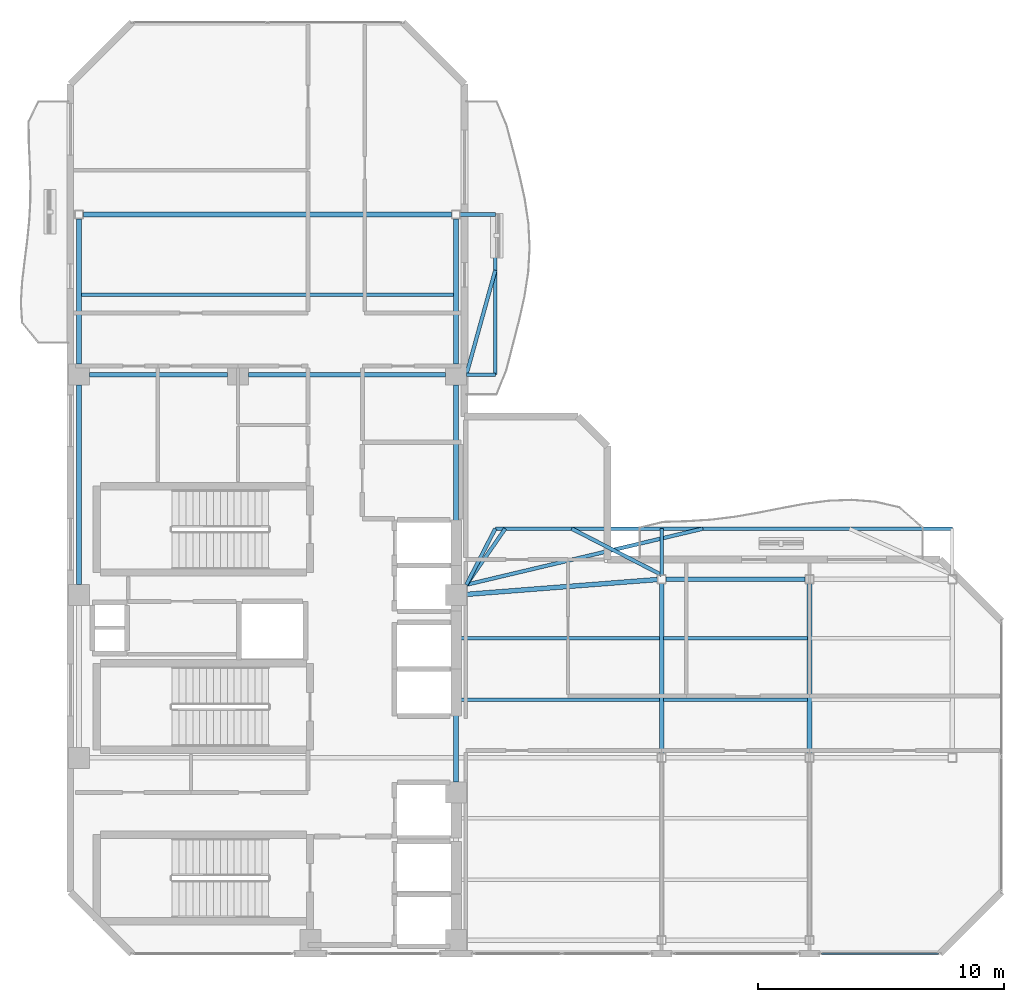
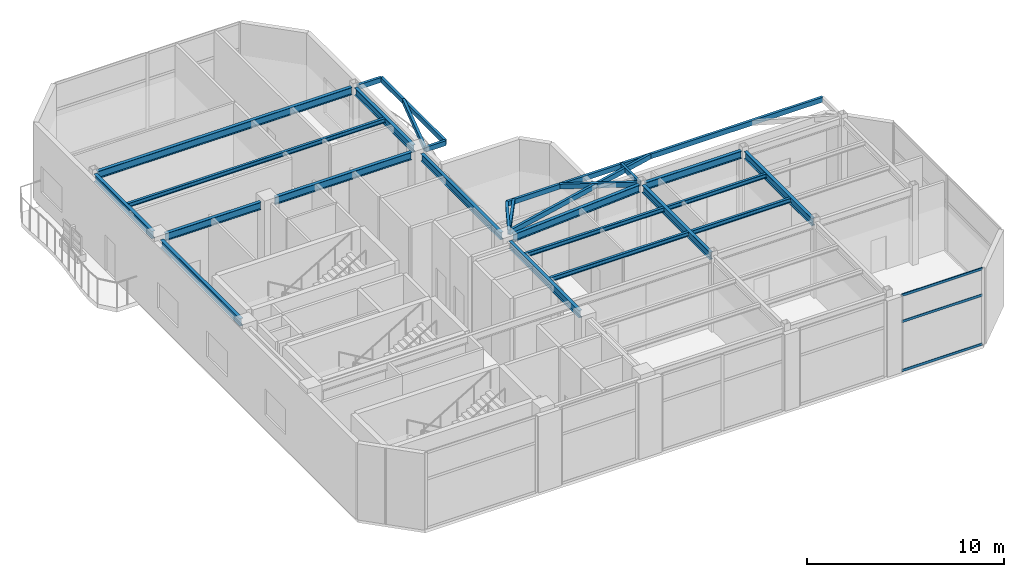
# One storey, part 6 of 15: 27 beams, 3 members, 1 element without a shape of its own.
"""IFC4 building model written with IfcOpenShell, lengths in metres."""

from ifc_helpers import new_model, si_unit, direction, frame, origin, origin_2d, place, context, subcontext, project, spatial, hollow_rectangle, i_section, extrude, material, layer, layer_set, material_profile, profile_set, type_object, element, aggregate, save


model = new_model("IFC4")

# Units and contexts
model_context = context("Model", 3, precision=1e-05, world=origin(), true_north=direction((0.0, 1.0)))
body_context = subcontext(model_context, "Body", "Model", "MODEL_VIEW")
ifc_project = project(units=[si_unit("LENGTHUNIT", "METRE"), si_unit("AREAUNIT", "SQUARE_METRE"), si_unit("VOLUMEUNIT", "CUBIC_METRE"), si_unit("PLANEANGLEUNIT", "RADIAN"), si_unit("MASSUNIT", "GRAM", prefix="KILO")], contexts=[model_context])

# Site, building, storey
site_placement = place(None, origin())
site = spatial("IfcSite", under=ifc_project, at=site_placement, CompositionType="ELEMENT")
building_placement = place(site_placement, origin())
building = spatial("IfcBuilding", under=site, at=building_placement, Name="Mawjaban Terraces University", CompositionType="ELEMENT")
storey_placement = place(building_placement, frame((0.0, 0.0, 306.699951171875)))
storey = spatial("IfcBuildingStorey", under=building, at=storey_placement, Name="L75", CompositionType="ELEMENT", Elevation=306.699951171875)

# Beams
ifc_material_1 = material(Name="Steel EN 10210-1 S355J2H", Category="steel")
ifc_material_profile_1 = material_profile(ifc_material_1, hollow_rectangle(XDim=0.14990234375, YDim=0.300048828125, WallThickness=0.012451171875, at=origin_2d()), Name="RHS300X150X12.5")
ifc_profile_set_1 = profile_set([ifc_material_profile_1], Name="Steel EN 10210-1 S355J2H")
beam_type_1 = type_object("IfcBeamType", Name="BalconyCantileverSpandrel_RHS", PredefinedType="SPANDREL", material=ifc_profile_set_1)
beam_1_placement = place(storey_placement, frame((38.074951171875, 14.97509765625, 4.590087890625), z_axis=(0.458922210771, 0.88847645127, 0.0), x_axis=(-0.88847645127, 0.458922210771, 0.0)))
element("IfcBeam", 1, at=beam_1_placement, inside=storey, type_object=beam_type_1, Name="L75 Corner Outrigger BAL-L76-N", PredefinedType="SPANDREL", context=body_context, shape_type="SweptSolid", body=[
    extrude(hollow_rectangle(XDim=0.14990234375, YDim=0.300048828125, WallThickness=0.012451171875, at=origin_2d()), origin(), (0.0, 0.0, 1.0), 2.560546875),
])
beam_2_placement = place(storey_placement, frame((39.25, 17.25, 4.590087890625), z_axis=(1.0, 0.0, 0.0), x_axis=(0.0, 1.0, 0.0)))
element("IfcBeam", 2, at=beam_2_placement, inside=storey, type_object=beam_type_1, Name="L75 Exterior Edge Spandrel BAL-L76-N", PredefinedType="SPANDREL", context=body_context, shape_type="SweptSolid", body=[
    extrude(hollow_rectangle(XDim=0.14990234375, YDim=0.300048828125, WallThickness=0.012451171875, at=origin_2d()), origin(), (0.0, 0.0, 1.0), 18.550048828125),
])
beam_3_placement = place(storey_placement, frame((38.074951171875, 14.97509765625, 4.590087890625), z_axis=(0.973053117179, 0.230581072831, 0.0), x_axis=(-0.230581072831, 0.973053117179, 0.0)))
element("IfcBeam", 3, at=beam_3_placement, inside=storey, type_object=beam_type_1, Name="L75 Exterior Diagonal Strut BAL-L76-N.1", PredefinedType="SPANDREL", context=body_context, shape_type="SweptSolid", body=[
    extrude(hollow_rectangle(XDim=0.14990234375, YDim=0.300048828125, WallThickness=0.012451171875, at=origin_2d()), origin(), (0.0, 0.0, 1.0), 9.865966796875),
])
beam_4_placement = place(storey_placement, frame((38.074951171875, 23.5, 4.590087890625), z_axis=(1.0, 0.0, 0.0), x_axis=(0.0, 1.0, 0.0)))
element("IfcBeam", 4, at=beam_4_placement, inside=storey, type_object=beam_type_1, Name="L75 Exterior Outrigger BAL-L76-E.1", PredefinedType="SPANDREL", context=body_context, shape_type="SweptSolid", body=[
    extrude(hollow_rectangle(XDim=0.14990234375, YDim=0.300048828125, WallThickness=0.012451171875, at=origin_2d()), origin(), (0.0, 0.0, 1.0), 1.175048828125),
])
beam_5_placement = place(storey_placement, frame((37.824951171875, 30.0, 4.590087890625), z_axis=(1.0, 0.0, 0.0), x_axis=(0.0, 1.0, 0.0)))
element("IfcBeam", 5, at=beam_5_placement, inside=storey, type_object=beam_type_1, Name="L75 Exterior Outrigger BAL-L76-E.2", PredefinedType="SPANDREL", context=body_context, shape_type="SweptSolid", body=[
    extrude(hollow_rectangle(XDim=0.14990234375, YDim=0.300048828125, WallThickness=0.012451171875, at=origin_2d()), origin(), (0.0, 0.0, 1.0), 1.425048828125),
])
beam_6_placement = place(storey_placement, frame((39.25, 23.5, 4.590087890625), z_axis=(0.0, 1.0, 0.0), x_axis=(-1.0, 0.0, 0.0)))
element("IfcBeam", 6, at=beam_6_placement, inside=storey, type_object=beam_type_1, Name="L75 Exterior Edge Spandrel BAL-L76-E", PredefinedType="SPANDREL", context=body_context, shape_type="SweptSolid", body=[
    extrude(hollow_rectangle(XDim=0.14990234375, YDim=0.300048828125, WallThickness=0.012451171875, at=origin_2d()), origin(), (0.0, 0.0, 1.0), 6.5),
])
beam_7_placement = place(storey_placement, frame((38.074951171875, 23.5, 4.590087890625), z_axis=(0.267068574782, 0.963677527165, 0.0), x_axis=(-0.963677527165, 0.267068574782, 0.0)))
element("IfcBeam", 7, at=beam_7_placement, inside=storey, type_object=beam_type_1, Name="L75 Exterior Diagonal Strut BAL-L76-E.1", PredefinedType="SPANDREL", context=body_context, shape_type="SweptSolid", body=[
    extrude(hollow_rectangle(XDim=0.14990234375, YDim=0.300048828125, WallThickness=0.012451171875, at=origin_2d()), origin(), (0.0, 0.0, 1.0), 4.39990234375),
])
beam_8_placement = place(storey_placement, frame((46.0, 15.375, 4.590087890625), z_axis=(0.0, 1.0, 0.0), x_axis=(-1.0, 0.0, 0.0)))
element("IfcBeam", 8, at=beam_8_placement, inside=storey, type_object=beam_type_1, Name="L75 Exterior Outrigger TER-L76-LOOKOUT.2", PredefinedType="SPANDREL", context=body_context, shape_type="SweptSolid", body=[
    extrude(hollow_rectangle(XDim=0.14990234375, YDim=0.300048828125, WallThickness=0.012451171875, at=origin_2d()), origin(), (0.0, 0.0, 1.0), 1.875),
])
beam_9_placement = place(storey_placement, frame((38.074951171875, 14.97509765625, 4.590087890625), z_axis=(0.569214567127, 0.822189015112, 0.0), x_axis=(-0.822189015112, 0.569214567127, 0.0)))
element("IfcBeam", 9, at=beam_9_placement, inside=storey, type_object=beam_type_1, Name="L75 Exterior Diagonal Strut TER-L76-LOOKOUT.1", PredefinedType="SPANDREL", context=body_context, shape_type="SweptSolid", body=[
    extrude(hollow_rectangle(XDim=0.14990234375, YDim=0.300048828125, WallThickness=0.012451171875, at=origin_2d()), origin(), (0.0, 0.0, 1.0), 2.766845703125),
])
beam_10_placement = place(storey_placement, frame((46.0, 15.375, 4.590087890625), z_axis=(-0.889495128042, 0.456944654405, 0.0), x_axis=(-0.456944654405, -0.889495128042, 0.0)))
element("IfcBeam", 10, at=beam_10_placement, inside=storey, type_object=beam_type_1, Name="L75 Exterior Diagonal Strut TER-L76-LOOKOUT.2", PredefinedType="SPANDREL", context=body_context, shape_type="SweptSolid", body=[
    extrude(hollow_rectangle(XDim=0.14990234375, YDim=0.300048828125, WallThickness=0.012451171875, at=origin_2d()), origin(), (0.0, 0.0, 1.0), 4.103271484375),
])
ifc_material_2 = material(Name="Steel ASTM A572 Grade 50", Category="steel")
ifc_material_profile_2 = material_profile(ifc_material_2, i_section(OverallWidth=0.19189453125, OverallDepth=0.462890625, WebThickness=0.010498046875, FlangeThickness=0.017578125, at=origin_2d()), Name="W460X89")
ifc_profile_set_2 = profile_set([ifc_material_profile_2], Name="Steel ASTM A572 Grade 50")
beam_type_2 = type_object("IfcBeamType", Name="Beam_B_W460X89", PredefinedType="BEAM", material=ifc_profile_set_2)
beam_11_placement = place(storey_placement, frame((46.175048828125, 15.199951171875, 4.509033203125), z_axis=(1.0, 0.0, 0.0), x_axis=(0.0, 1.0, 0.0)))
element("IfcBeam", 11, at=beam_11_placement, inside=storey, type_object=beam_type_2, Name="L75 Beam BM-L75-EW-06", PredefinedType="BEAM", context=body_context, shape_type="SweptSolid", body=[
    extrude(i_section(OverallWidth=0.19189453125, OverallDepth=0.462890625, WebThickness=0.010498046875, FlangeThickness=0.017578125, at=origin_2d()), origin(), (0.0, 0.0, 1.0), 5.64990234375),
])
beam_12_placement = place(storey_placement, frame((22.77490234375, 23.5, 4.509033203125), z_axis=(1.0, 0.0, 0.0), x_axis=(0.0, 1.0, 0.0)))
element("IfcBeam", 12, at=beam_12_placement, inside=storey, type_object=beam_type_2, Name="L75 Beam BM-L75-EW-08", PredefinedType="BEAM", context=body_context, shape_type="SweptSolid", body=[
    extrude(i_section(OverallWidth=0.19189453125, OverallDepth=0.462890625, WebThickness=0.010498046875, FlangeThickness=0.017578125, at=origin_2d()), origin(), (0.0, 0.0, 1.0), 5.60009765625),
])
beam_13_placement = place(storey_placement, frame((29.22509765625, 23.5, 4.509033203125), z_axis=(1.0, 0.0, 0.0), x_axis=(0.0, 1.0, 0.0)))
element("IfcBeam", 13, at=beam_13_placement, inside=storey, type_object=beam_type_2, Name="L75 Beam BM-L75-EW-09", PredefinedType="BEAM", context=body_context, shape_type="SweptSolid", body=[
    extrude(i_section(OverallWidth=0.19189453125, OverallDepth=0.462890625, WebThickness=0.010498046875, FlangeThickness=0.017578125, at=origin_2d()), origin(), (0.0, 0.0, 1.0), 8.0),
])
beam_14_placement = place(storey_placement, frame((22.52490234375, 30.0, 4.509033203125), z_axis=(1.0, 0.0, 0.0), x_axis=(0.0, 1.0, 0.0)))
element("IfcBeam", 14, at=beam_14_placement, inside=storey, type_object=beam_type_2, Name="L75 Beam BM-L75-EW-10", PredefinedType="BEAM", context=body_context, shape_type="SweptSolid", body=[
    extrude(i_section(OverallWidth=0.19189453125, OverallDepth=0.462890625, WebThickness=0.010498046875, FlangeThickness=0.017578125, at=origin_2d()), origin(), (0.0, 0.0, 1.0), 14.9501953125),
])
beam_15_placement = place(storey_placement, frame((22.35009765625, 14.97509765625, 4.509033203125), z_axis=(0.0, 1.0, 0.0), x_axis=(-1.0, 0.0, 0.0)))
element("IfcBeam", 15, at=beam_15_placement, inside=storey, type_object=beam_type_2, Name="L75 Beam BM-L75-NS-02", PredefinedType="BEAM", context=body_context, shape_type="SweptSolid", body=[
    extrude(i_section(OverallWidth=0.19189453125, OverallDepth=0.462890625, WebThickness=0.010498046875, FlangeThickness=0.017578125, at=origin_2d()), origin(), (0.0, 0.0, 1.0), 8.099853515625),
])
beam_16_placement = place(storey_placement, frame((22.35009765625, 23.925048828125, 4.509033203125), z_axis=(0.0, 1.0, 0.0), x_axis=(-1.0, 0.0, 0.0)))
element("IfcBeam", 16, at=beam_16_placement, inside=storey, type_object=beam_type_2, Name="L75 Beam BM-L75-NS-03", PredefinedType="BEAM", context=body_context, shape_type="SweptSolid", body=[
    extrude(i_section(OverallWidth=0.19189453125, OverallDepth=0.462890625, WebThickness=0.010498046875, FlangeThickness=0.017578125, at=origin_2d()), origin(), (0.0, 0.0, 1.0), 5.89990234375),
])
beam_17_placement = place(storey_placement, frame((37.64990234375, 6.97509765625, 4.509033203125), z_axis=(0.0, 1.0, 0.0), x_axis=(-1.0, 0.0, 0.0)))
element("IfcBeam", 17, at=beam_17_placement, inside=storey, type_object=beam_type_2, Name="L75 Beam BM-L75-NS-05", PredefinedType="BEAM", context=body_context, shape_type="SweptSolid", body=[
    extrude(i_section(OverallWidth=0.19189453125, OverallDepth=0.462890625, WebThickness=0.010498046875, FlangeThickness=0.017578125, at=origin_2d()), origin(), (0.0, 0.0, 1.0), 7.14990234375),
])
beam_18_placement = place(storey_placement, frame((37.64990234375, 14.97509765625, 4.509033203125), z_axis=(0.0, 1.0, 0.0), x_axis=(-1.0, 0.0, 0.0)))
element("IfcBeam", 18, at=beam_18_placement, inside=storey, type_object=beam_type_2, Name="L75 Beam BM-L75-NS-06", PredefinedType="BEAM", context=body_context, shape_type="SweptSolid", body=[
    extrude(i_section(OverallWidth=0.19189453125, OverallDepth=0.462890625, WebThickness=0.010498046875, FlangeThickness=0.017578125, at=origin_2d()), origin(), (0.0, 0.0, 1.0), 8.099853515625),
])
beam_19_placement = place(storey_placement, frame((37.64990234375, 23.925048828125, 4.509033203125), z_axis=(0.0, 1.0, 0.0), x_axis=(-1.0, 0.0, 0.0)))
element("IfcBeam", 19, at=beam_19_placement, inside=storey, type_object=beam_type_2, Name="L75 Beam BM-L75-NS-07", PredefinedType="BEAM", context=body_context, shape_type="SweptSolid", body=[
    extrude(i_section(OverallWidth=0.19189453125, OverallDepth=0.462890625, WebThickness=0.010498046875, FlangeThickness=0.017578125, at=origin_2d()), origin(), (0.0, 0.0, 1.0), 5.89990234375),
])
for number, where, z_axis, x_axis, name in (
    (20, (46.0, 8.125, 4.509033203125), (0.0, 1.0, 0.0), (-1.0, 0.0, 0.0), "L75 Beam BM-L75-NS-09"),
    (21, (52.0, 8.125, 4.509033203125), (0.0, 1.0, 0.0), (-1.0, 0.0, 0.0), "L75 Beam BM-L75-NS-11"),
):
    element("IfcBeam", number, at=place(storey_placement, frame(where, z_axis=z_axis, x_axis=x_axis)), inside=storey, type_object=beam_type_2, Name=name, PredefinedType="BEAM", context=body_context, shape_type="SweptSolid", body=[
        extrude(i_section(OverallWidth=0.19189453125, OverallDepth=0.462890625, WebThickness=0.010498046875, FlangeThickness=0.017578125, at=origin_2d()), origin(), (0.0, 0.0, 1.0), 6.89990234375),
    ])
beam_20_placement = place(storey_placement, frame((38.073974609375, 14.5830078125, 4.509033203125), z_axis=(0.996987991894, 0.077556070168, 0.0), x_axis=(-0.077556070168, 0.996987991894, 0.0)))
element("IfcBeam", 22, at=beam_20_placement, inside=storey, type_object=beam_type_2, Name="L75 Beam BM-L75-CTIE", PredefinedType="BEAM", context=body_context, shape_type="SweptSolid", body=[
    extrude(i_section(OverallWidth=0.19189453125, OverallDepth=0.462890625, WebThickness=0.010498046875, FlangeThickness=0.017578125, at=origin_2d()), origin(), (0.0, 0.0, 1.0), 7.775390625),
])
ifc_material_profile_3 = material_profile(ifc_material_2, i_section(OverallWidth=0.14794921875, OverallDepth=0.26611328125, WebThickness=0.007568359375, FlangeThickness=0.012939453125, at=origin_2d()), Name="W250X45")
ifc_profile_set_3 = profile_set([ifc_material_profile_3], Name="Steel ASTM A572 Grade 50")
beam_type_3 = type_object("IfcBeamType", Name="Beam_J_W250X45", PredefinedType="JOIST", material=ifc_profile_set_3)
beam_21_placement = place(storey_placement, frame((37.72998046875, 10.300048828125, 4.60693359375), z_axis=(1.0, 0.0, 0.0), x_axis=(0.0, 1.0, 0.0)))
element("IfcBeam", 23, at=beam_21_placement, inside=storey, type_object=beam_type_3, Name="L75 Composite Joist JST-L75-05", PredefinedType="JOIST", context=body_context, shape_type="SweptSolid", body=[
    extrude(i_section(OverallWidth=0.14794921875, OverallDepth=0.26611328125, WebThickness=0.007568359375, FlangeThickness=0.012939453125, at=origin_2d()), origin(), (0.0, 0.0, 1.0), 8.18994140625),
])
beam_22_placement = place(storey_placement, frame((46.080078125, 10.300048828125, 4.60693359375), z_axis=(1.0, 0.0, 0.0), x_axis=(0.0, 1.0, 0.0)))
element("IfcBeam", 24, at=beam_22_placement, inside=storey, type_object=beam_type_3, Name="L75 Composite Joist JST-L75-06", PredefinedType="JOIST", context=body_context, shape_type="SweptSolid", body=[
    extrude(i_section(OverallWidth=0.14794921875, OverallDepth=0.26611328125, WebThickness=0.007568359375, FlangeThickness=0.012939453125, at=origin_2d()), origin(), (0.0, 0.0, 1.0), 5.83984375),
])
beam_23_placement = place(storey_placement, frame((37.72998046875, 12.800048828125, 4.60693359375), z_axis=(1.0, 0.0, 0.0), x_axis=(0.0, 1.0, 0.0)))
element("IfcBeam", 25, at=beam_23_placement, inside=storey, type_object=beam_type_3, Name="L75 Composite Joist JST-L75-08", PredefinedType="JOIST", context=body_context, shape_type="SweptSolid", body=[
    extrude(i_section(OverallWidth=0.14794921875, OverallDepth=0.26611328125, WebThickness=0.007568359375, FlangeThickness=0.012939453125, at=origin_2d()), origin(), (0.0, 0.0, 1.0), 8.18994140625),
])
beam_24_placement = place(storey_placement, frame((46.080078125, 12.800048828125, 4.60693359375), z_axis=(1.0, 0.0, 0.0), x_axis=(0.0, 1.0, 0.0)))
element("IfcBeam", 26, at=beam_24_placement, inside=storey, type_object=beam_type_3, Name="L75 Composite Joist JST-L75-09", PredefinedType="JOIST", context=body_context, shape_type="SweptSolid", body=[
    extrude(i_section(OverallWidth=0.14794921875, OverallDepth=0.26611328125, WebThickness=0.007568359375, FlangeThickness=0.012939453125, at=origin_2d()), origin(), (0.0, 0.0, 1.0), 5.83984375),
])
beam_25_placement = place(storey_placement, frame((22.429931640625, 26.75, 4.60693359375), z_axis=(1.0, 0.0, 0.0), x_axis=(0.0, 1.0, 0.0)))
element("IfcBeam", 27, at=beam_25_placement, inside=storey, type_object=beam_type_3, Name="L75 Composite Joist JST-L75-11", PredefinedType="JOIST", context=body_context, shape_type="SweptSolid", body=[
    extrude(i_section(OverallWidth=0.14794921875, OverallDepth=0.26611328125, WebThickness=0.007568359375, FlangeThickness=0.012939453125, at=origin_2d()), origin(), (0.0, 0.0, 1.0), 15.14013671875),
])

# Curtain wall, members
ifc_material_3 = material(Name="Anodised aluminium 6063-T6 and solar-control low-E glass", Category="aluminium")
ifc_layer = layer(ifc_material_3, 0.199951171875)
ifc_layer_set = layer_set([ifc_layer], Name="Anodised aluminium 6063-T6 and solar-control low-E glass")
curtain_wall_type = type_object("IfcCurtainWallType", Name="CWSystem_06_ObservationCrown", PredefinedType="NOTDEFINED", material=ifc_layer_set)
curtain_wall_placement = place(storey_placement, origin())
curtain_wall = element("IfcCurtainWall", 28, at=curtain_wall_placement, inside=storey, type_object=curtain_wall_type, Name="L75 Curtain Wall CW-06 Run 1.5", PredefinedType="NOTDEFINED")
ifc_material_4 = material(Name="Anodised aluminium 6063-T6", Category="aluminium")
ifc_material_profile_4 = material_profile(ifc_material_4, hollow_rectangle(XDim=0.06005859375, YDim=0.14990234375, WallThickness=0.00390625, at=origin_2d()), Name="ALU150X60X4")
ifc_profile_set_4 = profile_set([ifc_material_profile_4], Name="Anodised aluminium 6063-T6")
member_type = type_object("IfcMemberType", Name="Transom_CW-06", PredefinedType="NOTDEFINED", material=ifc_profile_set_4)
member_1_placement = place(storey_placement, frame((52.489990234375, 0.0, 0.030029296875), z_axis=(1.0, 0.0, 0.0), x_axis=(0.0, 1.0, 0.0)))
member_1 = element("IfcMember", 29, at=member_1_placement, type_object=member_type, Name="CW-06 transom 1.1", ObjectType="TRANSOM", PredefinedType="USERDEFINED", context=body_context, shape_type="SweptSolid", body=[
    extrude(hollow_rectangle(XDim=0.06005859375, YDim=0.14990234375, WallThickness=0.00390625, at=origin_2d()), origin(), (0.0, 0.0, 1.0), 4.7451171875),
])
member_2_placement = place(storey_placement, frame((52.489990234375, 0.0, 3.0810546875), z_axis=(1.0, 0.0, 0.0), x_axis=(0.0, 1.0, 0.0)))
member_2 = element("IfcMember", 30, at=member_2_placement, type_object=member_type, Name="CW-06 transom 1.2", ObjectType="TRANSOM", PredefinedType="USERDEFINED", context=body_context, shape_type="SweptSolid", body=[
    extrude(hollow_rectangle(XDim=0.06005859375, YDim=0.14990234375, WallThickness=0.00390625, at=origin_2d()), origin(), (0.0, 0.0, 1.0), 4.7451171875),
])
member_3_placement = place(storey_placement, frame((52.489990234375, 0.0, 4.7099609375), z_axis=(1.0, 0.0, 0.0), x_axis=(0.0, 1.0, 0.0)))
member_3 = element("IfcMember", 31, at=member_3_placement, type_object=member_type, Name="CW-06 transom 1.3", ObjectType="TRANSOM", PredefinedType="USERDEFINED", context=body_context, shape_type="SweptSolid", body=[
    extrude(hollow_rectangle(XDim=0.06005859375, YDim=0.14990234375, WallThickness=0.00390625, at=origin_2d()), origin(), (0.0, 0.0, 1.0), 4.7451171875),
])
aggregate(curtain_wall, [member_1, member_2, member_3])

save(model, "model.ifc")
